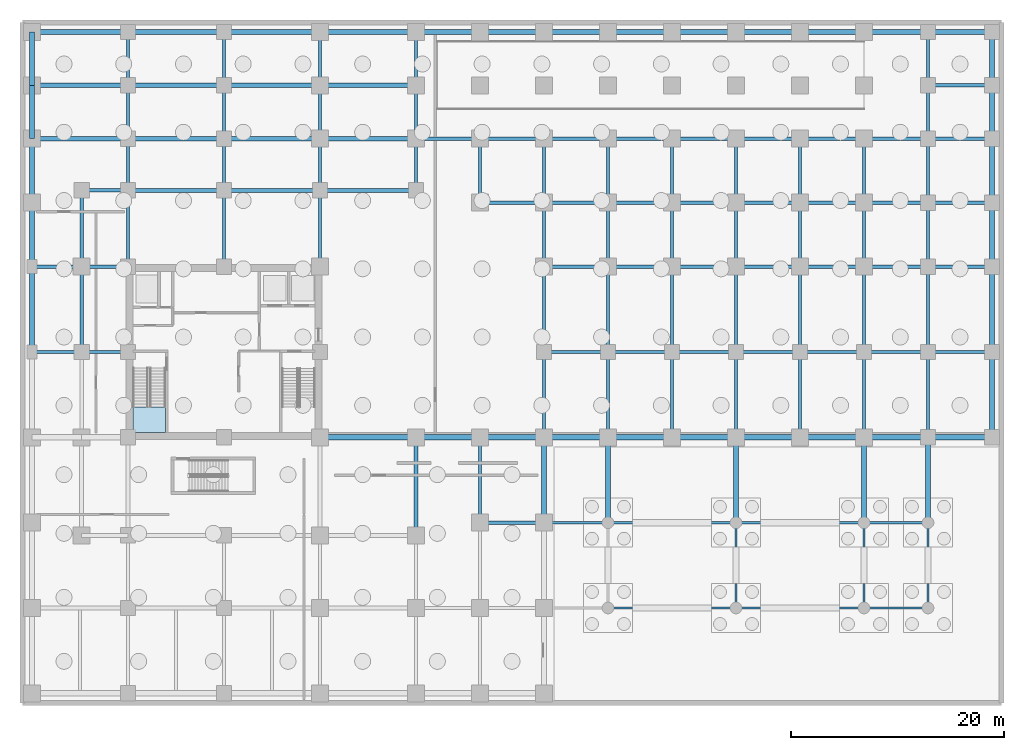
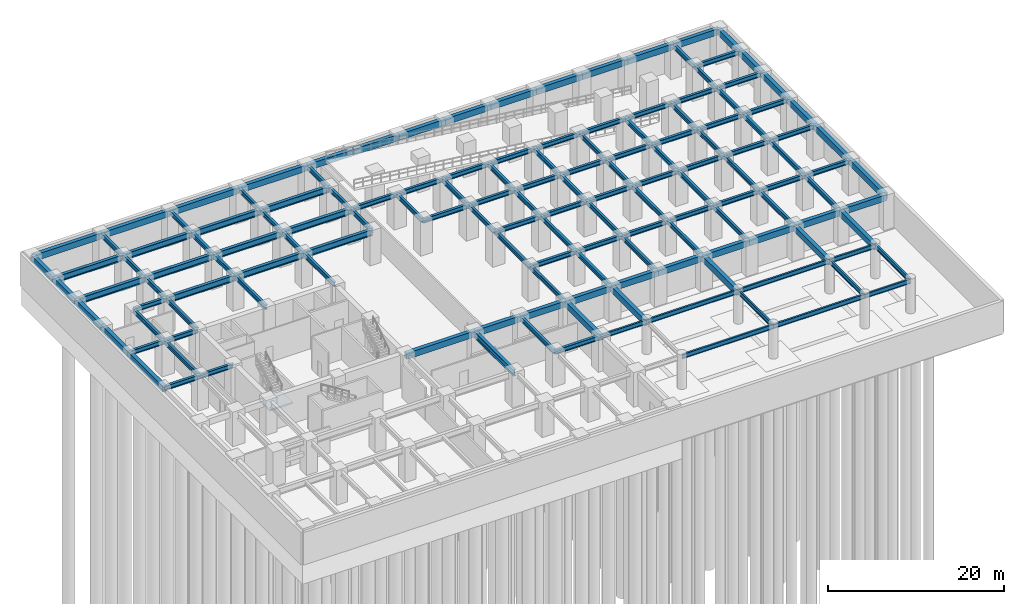
# One storey, part 3 of 11: 148 beams, 1 slab, 1 element without a shape of its own.
"""IFC4 building model written with IfcOpenShell, lengths in metres."""

from ifc_helpers import new_model, si_unit, direction, frame, origin, origin_2d, place, context, subcontext, project, spatial, polyline, rectangle, i_section, outline, extrude, source, transform, mapped, material, layer, layer_set, material_profile, profile_set, type_object, element, aggregate, save


model = new_model("IFC4")

# Units and contexts
model_context = context("Model", 3, precision=1e-05, world=origin(), true_north=direction((0.0, 1.0)))
body_context = subcontext(model_context, "Body", "Model", "MODEL_VIEW")
ifc_project = project(units=[si_unit("LENGTHUNIT", "METRE"), si_unit("AREAUNIT", "SQUARE_METRE"), si_unit("VOLUMEUNIT", "CUBIC_METRE"), si_unit("PLANEANGLEUNIT", "RADIAN"), si_unit("MASSUNIT", "GRAM", prefix="KILO")], contexts=[model_context])

# Site, building, storey
site_placement = place(None, origin())
site = spatial("IfcSite", under=ifc_project, at=site_placement, CompositionType="ELEMENT")
building_placement = place(site_placement, origin())
building = spatial("IfcBuilding", under=site, at=building_placement, Name="Torre Montelarca", CompositionType="ELEMENT")
storey_placement = place(building_placement, frame((0.0, 0.0, -9.60009765625)))
storey = spatial("IfcBuildingStorey", under=building, at=storey_placement, Name="B2", CompositionType="ELEMENT", Elevation=-9.60009765625)

# Beams
ifc_material_1 = material(Name="Concrete C55/67", Category="concrete")
ifc_material_profile_1 = material_profile(ifc_material_1, rectangle(XDim=0.5, YDim=0.85009765625, at=origin_2d()), Name="RCB500X850", Category="concrete")
ifc_profile_set_1 = profile_set([ifc_material_profile_1], Name="Concrete C55/67")
beam_type_1 = type_object("IfcBeamType", Name="BM-SP-RC850-EXT", PredefinedType="SPANDREL", material=ifc_profile_set_1)
shared_shape_1 = source(origin(), body_context, "Body", "SweptSolid", [
    extrude(rectangle(XDim=0.5, YDim=0.85009765625, at=origin_2d()), origin(), (0.0, 0.0, 1.0), 9.0),
])
for number, where, z_axis, x_axis, name in (
    (1, (27.0, 24.0, 4.09521484375), (1.0, 0.0, 0.0), (0.0, 1.0, 0.0), "B2 Grid Girder X 27.0-36.0 at Y=24.0"),
    (2, (0.0, 62.0, 4.09521484375), (1.0, 0.0, 0.0), (0.0, 1.0, 0.0), "B2 Grid Girder X 0.0-9.0 at Y=62.0"),
    (3, (9.0, 62.0, 4.09521484375), (1.0, 0.0, 0.0), (0.0, 1.0, 0.0), "B2 Grid Girder X 9.0-18.0 at Y=62.0"),
    (4, (18.0, 62.0, 4.09521484375), (1.0, 0.0, 0.0), (0.0, 1.0, 0.0), "B2 Grid Girder X 18.0-27.0 at Y=62.0"),
    (5, (27.0, 62.0, 4.09521484375), (1.0, 0.0, 0.0), (0.0, 1.0, 0.0), "B2 Grid Girder X 27.0-36.0 at Y=62.0"),
):
    element("IfcBeam", number, at=place(storey_placement, frame(where, z_axis=z_axis, x_axis=x_axis)), inside=storey, type_object=beam_type_1, Name=name, PredefinedType="SPANDREL", context=body_context, shape_type="MappedRepresentation", body=[
        mapped(shared_shape_1, transform((0.0, 0.0, 0.0), scale=1.0)),
    ])
shared_shape_2 = source(origin(), body_context, "Body", "SweptSolid", [
    extrude(rectangle(XDim=0.5, YDim=0.85009765625, at=origin_2d()), origin(), (0.0, 0.0, 1.0), 6.0),
])
for number, where, z_axis, x_axis, name in (
    (6, (36.0, 24.0, 4.09521484375), (1.0, 0.0, 0.0), (0.0, 1.0, 0.0), "B2 Grid Girder X 36.0-42.0 at Y=24.0"),
    (7, (42.0, 24.0, 4.09521484375), (1.0, 0.0, 0.0), (0.0, 1.0, 0.0), "B2 Grid Girder X 42.0-48.0 at Y=24.0"),
    (8, (48.0, 24.0, 4.09521484375), (1.0, 0.0, 0.0), (0.0, 1.0, 0.0), "B2 Grid Girder X 48.0-54.0 at Y=24.0"),
    (9, (54.0, 24.0, 4.09521484375), (1.0, 0.0, 0.0), (0.0, 1.0, 0.0), "B2 Grid Girder X 54.0-60.0 at Y=24.0"),
    (10, (60.0, 24.0, 4.09521484375), (1.0, 0.0, 0.0), (0.0, 1.0, 0.0), "B2 Grid Girder X 60.0-66.0 at Y=24.0"),
    (11, (66.0, 24.0, 4.09521484375), (1.0, 0.0, 0.0), (0.0, 1.0, 0.0), "B2 Grid Girder X 66.0-72.0 at Y=24.0"),
    (12, (72.0, 24.0, 4.09521484375), (1.0, 0.0, 0.0), (0.0, 1.0, 0.0), "B2 Grid Girder X 72.0-78.0 at Y=24.0"),
    (13, (78.0, 24.0, 4.09521484375), (1.0, 0.0, 0.0), (0.0, 1.0, 0.0), "B2 Grid Girder X 78.0-84.0 at Y=24.0"),
    (14, (84.0, 24.0, 4.09521484375), (1.0, 0.0, 0.0), (0.0, 1.0, 0.0), "B2 Grid Girder X 84.0-90.0 at Y=24.0"),
    (15, (36.0, 62.0, 4.09521484375), (1.0, 0.0, 0.0), (0.0, 1.0, 0.0), "B2 Grid Girder X 36.0-42.0 at Y=62.0"),
    (16, (42.0, 62.0, 4.09521484375), (1.0, 0.0, 0.0), (0.0, 1.0, 0.0), "B2 Grid Girder X 42.0-48.0 at Y=62.0"),
    (17, (48.0, 62.0, 4.09521484375), (1.0, 0.0, 0.0), (0.0, 1.0, 0.0), "B2 Grid Girder X 48.0-54.0 at Y=62.0"),
    (18, (54.0, 62.0, 4.09521484375), (1.0, 0.0, 0.0), (0.0, 1.0, 0.0), "B2 Grid Girder X 54.0-60.0 at Y=62.0"),
    (19, (60.0, 62.0, 4.09521484375), (1.0, 0.0, 0.0), (0.0, 1.0, 0.0), "B2 Grid Girder X 60.0-66.0 at Y=62.0"),
    (20, (66.0, 62.0, 4.09521484375), (1.0, 0.0, 0.0), (0.0, 1.0, 0.0), "B2 Grid Girder X 66.0-72.0 at Y=62.0"),
    (21, (72.0, 62.0, 4.09521484375), (1.0, 0.0, 0.0), (0.0, 1.0, 0.0), "B2 Grid Girder X 72.0-78.0 at Y=62.0"),
    (22, (78.0, 62.0, 4.09521484375), (1.0, 0.0, 0.0), (0.0, 1.0, 0.0), "B2 Grid Girder X 78.0-84.0 at Y=62.0"),
    (23, (84.0, 62.0, 4.09521484375), (1.0, 0.0, 0.0), (0.0, 1.0, 0.0), "B2 Grid Girder X 84.0-90.0 at Y=62.0"),
    (24, (0.0, 40.0, 4.09521484375), (0.0, 1.0, 0.0), (-1.0, 0.0, 0.0), "B2 Grid Girder Y 40.0-46.0 at X=0.0"),
    (25, (0.0, 46.0, 4.09521484375), (0.0, 1.0, 0.0), (-1.0, 0.0, 0.0), "B2 Grid Girder Y 46.0-52.0 at X=0.0"),
    (26, (90.0, 40.0, 4.09521484375), (0.0, 1.0, 0.0), (-1.0, 0.0, 0.0), "B2 Grid Girder Y 40.0-46.0 at X=90.0"),
    (27, (90.0, 46.0, 4.09521484375), (0.0, 1.0, 0.0), (-1.0, 0.0, 0.0), "B2 Grid Girder Y 46.0-52.0 at X=90.0"),
):
    element("IfcBeam", number, at=place(storey_placement, frame(where, z_axis=z_axis, x_axis=x_axis)), inside=storey, type_object=beam_type_1, Name=name, PredefinedType="SPANDREL", context=body_context, shape_type="MappedRepresentation", body=[
        mapped(shared_shape_2, transform((0.0, 0.0, 0.0), scale=1.0)),
    ])
ifc_material_2 = material(Name="Steel ASTM A992 Grade 50", Category="steel")
ifc_material_profile_2 = material_profile(ifc_material_2, i_section(OverallWidth=0.39990234375, OverallDepth=0.85498046875, WebThickness=0.018310546875, FlangeThickness=0.029296875, FilletRadius=0.02001953125, at=origin_2d()), Name="W840X299", Category="steel")
ifc_profile_set_2 = profile_set([ifc_material_profile_2], Name="Steel ASTM A992 Grade 50")
beam_type_2 = type_object("IfcBeamType", Name="BM-G-W840", PredefinedType="BEAM", material=ifc_profile_set_2)
shared_shape_3 = source(origin(), body_context, "Body", "SweptSolid", [
    extrude(i_section(OverallWidth=0.39990234375, OverallDepth=0.85498046875, WebThickness=0.018310546875, FlangeThickness=0.029296875, FilletRadius=0.02001953125, at=origin_2d()), origin(), (0.0, 0.0, 1.0), 9.0),
])
for number, where, z_axis, x_axis, name in (
    (28, (9.0, 47.14990234375, 4.092041015625), (1.0, 0.0, 0.0), (0.0, 1.0, 0.0), "B2 Grid Girder X 9.0-18.0 at Y=47.1"),
    (29, (18.0, 47.14990234375, 4.092041015625), (1.0, 0.0, 0.0), (0.0, 1.0, 0.0), "B2 Grid Girder X 18.0-27.0 at Y=47.1"),
    (30, (27.0, 47.14990234375, 4.092041015625), (1.0, 0.0, 0.0), (0.0, 1.0, 0.0), "B2 Grid Girder X 27.0-36.0 at Y=47.1"),
    (31, (0.0, 52.0, 4.092041015625), (1.0, 0.0, 0.0), (0.0, 1.0, 0.0), "B2 Grid Girder X 0.0-9.0 at Y=52.0"),
    (32, (9.0, 52.0, 4.092041015625), (1.0, 0.0, 0.0), (0.0, 1.0, 0.0), "B2 Grid Girder X 9.0-18.0 at Y=52.0"),
    (33, (18.0, 52.0, 4.092041015625), (1.0, 0.0, 0.0), (0.0, 1.0, 0.0), "B2 Grid Girder X 18.0-27.0 at Y=52.0"),
    (34, (27.0, 52.0, 4.092041015625), (1.0, 0.0, 0.0), (0.0, 1.0, 0.0), "B2 Grid Girder X 27.0-36.0 at Y=52.0"),
    (35, (0.0, 57.0, 4.092041015625), (1.0, 0.0, 0.0), (0.0, 1.0, 0.0), "B2 Grid Girder X 0.0-9.0 at Y=57.0"),
    (36, (9.0, 57.0, 4.092041015625), (1.0, 0.0, 0.0), (0.0, 1.0, 0.0), "B2 Grid Girder X 9.0-18.0 at Y=57.0"),
    (37, (18.0, 57.0, 4.092041015625), (1.0, 0.0, 0.0), (0.0, 1.0, 0.0), "B2 Grid Girder X 18.0-27.0 at Y=57.0"),
    (38, (27.0, 57.0, 4.092041015625), (1.0, 0.0, 0.0), (0.0, 1.0, 0.0), "B2 Grid Girder X 27.0-36.0 at Y=57.0"),
):
    element("IfcBeam", number, at=place(storey_placement, frame(where, z_axis=z_axis, x_axis=x_axis)), inside=storey, type_object=beam_type_2, Name=name, PredefinedType="BEAM", context=body_context, shape_type="MappedRepresentation", body=[
        mapped(shared_shape_3, transform((0.0, 0.0, 0.0), scale=1.0)),
    ])
ifc_material_profile_3 = material_profile(ifc_material_2, i_section(OverallWidth=0.326904296875, OverallDepth=0.6220703125, WebThickness=0.015380859375, FlangeThickness=0.0244140625, FilletRadius=0.014892578125, at=origin_2d()), Name="W610X195", Category="steel")
ifc_profile_set_3 = profile_set([ifc_material_profile_3], Name="Steel ASTM A992 Grade 50")
beam_type_3 = type_object("IfcBeamType", Name="BM-G-W610H", PredefinedType="BEAM", material=ifc_profile_set_3)
shared_shape_4 = source(origin(), body_context, "Body", "SweptSolid", [
    extrude(i_section(OverallWidth=0.326904296875, OverallDepth=0.6220703125, WebThickness=0.015380859375, FlangeThickness=0.0244140625, FilletRadius=0.014892578125, at=origin_2d()), origin(), (0.0, 0.0, 1.0), 6.0),
])
for number, where, z_axis, x_axis, name in (
    (39, (42.0, 16.0, 4.208984375), (1.0, 0.0, 0.0), (0.0, 1.0, 0.0), "B2 Grid Girder X 42.0-48.0 at Y=16.0"),
    (40, (48.0, 32.0, 4.208984375), (1.0, 0.0, 0.0), (0.0, 1.0, 0.0), "B2 Grid Girder X 48.0-54.0 at Y=32.0"),
    (41, (54.0, 32.0, 4.208984375), (1.0, 0.0, 0.0), (0.0, 1.0, 0.0), "B2 Grid Girder X 54.0-60.0 at Y=32.0"),
    (42, (60.0, 32.0, 4.208984375), (1.0, 0.0, 0.0), (0.0, 1.0, 0.0), "B2 Grid Girder X 60.0-66.0 at Y=32.0"),
    (43, (66.0, 32.0, 4.208984375), (1.0, 0.0, 0.0), (0.0, 1.0, 0.0), "B2 Grid Girder X 66.0-72.0 at Y=32.0"),
    (44, (72.0, 32.0, 4.208984375), (1.0, 0.0, 0.0), (0.0, 1.0, 0.0), "B2 Grid Girder X 72.0-78.0 at Y=32.0"),
    (45, (78.0, 32.0, 4.208984375), (1.0, 0.0, 0.0), (0.0, 1.0, 0.0), "B2 Grid Girder X 78.0-84.0 at Y=32.0"),
    (46, (84.0, 32.0, 4.208984375), (1.0, 0.0, 0.0), (0.0, 1.0, 0.0), "B2 Grid Girder X 84.0-90.0 at Y=32.0"),
    (47, (48.0, 40.0, 4.208984375), (1.0, 0.0, 0.0), (0.0, 1.0, 0.0), "B2 Grid Girder X 48.0-54.0 at Y=40.0"),
    (48, (54.0, 40.0, 4.208984375), (1.0, 0.0, 0.0), (0.0, 1.0, 0.0), "B2 Grid Girder X 54.0-60.0 at Y=40.0"),
    (49, (60.0, 40.0, 4.208984375), (1.0, 0.0, 0.0), (0.0, 1.0, 0.0), "B2 Grid Girder X 60.0-66.0 at Y=40.0"),
    (50, (66.0, 40.0, 4.208984375), (1.0, 0.0, 0.0), (0.0, 1.0, 0.0), "B2 Grid Girder X 66.0-72.0 at Y=40.0"),
    (51, (72.0, 40.0, 4.208984375), (1.0, 0.0, 0.0), (0.0, 1.0, 0.0), "B2 Grid Girder X 72.0-78.0 at Y=40.0"),
    (52, (78.0, 40.0, 4.208984375), (1.0, 0.0, 0.0), (0.0, 1.0, 0.0), "B2 Grid Girder X 78.0-84.0 at Y=40.0"),
    (53, (84.0, 40.0, 4.208984375), (1.0, 0.0, 0.0), (0.0, 1.0, 0.0), "B2 Grid Girder X 84.0-90.0 at Y=40.0"),
    (54, (42.0, 46.0, 4.208984375), (1.0, 0.0, 0.0), (0.0, 1.0, 0.0), "B2 Grid Girder X 42.0-48.0 at Y=46.0"),
    (55, (48.0, 46.0, 4.208984375), (1.0, 0.0, 0.0), (0.0, 1.0, 0.0), "B2 Grid Girder X 48.0-54.0 at Y=46.0"),
    (56, (54.0, 46.0, 4.208984375), (1.0, 0.0, 0.0), (0.0, 1.0, 0.0), "B2 Grid Girder X 54.0-60.0 at Y=46.0"),
    (57, (60.0, 46.0, 4.208984375), (1.0, 0.0, 0.0), (0.0, 1.0, 0.0), "B2 Grid Girder X 60.0-66.0 at Y=46.0"),
    (58, (66.0, 46.0, 4.208984375), (1.0, 0.0, 0.0), (0.0, 1.0, 0.0), "B2 Grid Girder X 66.0-72.0 at Y=46.0"),
    (59, (72.0, 46.0, 4.208984375), (1.0, 0.0, 0.0), (0.0, 1.0, 0.0), "B2 Grid Girder X 72.0-78.0 at Y=46.0"),
    (60, (78.0, 46.0, 4.208984375), (1.0, 0.0, 0.0), (0.0, 1.0, 0.0), "B2 Grid Girder X 78.0-84.0 at Y=46.0"),
    (61, (84.0, 46.0, 4.208984375), (1.0, 0.0, 0.0), (0.0, 1.0, 0.0), "B2 Grid Girder X 84.0-90.0 at Y=46.0"),
    (62, (36.0, 52.0, 4.208984375), (1.0, 0.0, 0.0), (0.0, 1.0, 0.0), "B2 Grid Girder X 36.0-42.0 at Y=52.0"),
    (63, (42.0, 52.0, 4.208984375), (1.0, 0.0, 0.0), (0.0, 1.0, 0.0), "B2 Grid Girder X 42.0-48.0 at Y=52.0"),
    (64, (48.0, 52.0, 4.208984375), (1.0, 0.0, 0.0), (0.0, 1.0, 0.0), "B2 Grid Girder X 48.0-54.0 at Y=52.0"),
    (65, (54.0, 52.0, 4.208984375), (1.0, 0.0, 0.0), (0.0, 1.0, 0.0), "B2 Grid Girder X 54.0-60.0 at Y=52.0"),
    (66, (60.0, 52.0, 4.208984375), (1.0, 0.0, 0.0), (0.0, 1.0, 0.0), "B2 Grid Girder X 60.0-66.0 at Y=52.0"),
    (67, (66.0, 52.0, 4.208984375), (1.0, 0.0, 0.0), (0.0, 1.0, 0.0), "B2 Grid Girder X 66.0-72.0 at Y=52.0"),
    (68, (72.0, 52.0, 4.208984375), (1.0, 0.0, 0.0), (0.0, 1.0, 0.0), "B2 Grid Girder X 72.0-78.0 at Y=52.0"),
    (69, (78.0, 52.0, 4.208984375), (1.0, 0.0, 0.0), (0.0, 1.0, 0.0), "B2 Grid Girder X 78.0-84.0 at Y=52.0"),
    (70, (84.0, 52.0, 4.208984375), (1.0, 0.0, 0.0), (0.0, 1.0, 0.0), "B2 Grid Girder X 84.0-90.0 at Y=52.0"),
    (71, (84.0, 57.0, 4.208984375), (1.0, 0.0, 0.0), (0.0, 1.0, 0.0), "B2 Grid Girder X 84.0-90.0 at Y=57.0"),
    (72, (42.0, 46.0, 4.208984375), (0.0, 1.0, 0.0), (-1.0, 0.0, 0.0), "B2 Grid Girder Y 46.0-52.0 at X=42.0"),
    (73, (48.0, 40.0, 4.208984375), (0.0, 1.0, 0.0), (-1.0, 0.0, 0.0), "B2 Grid Girder Y 40.0-46.0 at X=48.0"),
    (74, (48.0, 46.0, 4.208984375), (0.0, 1.0, 0.0), (-1.0, 0.0, 0.0), "B2 Grid Girder Y 46.0-52.0 at X=48.0"),
    (75, (54.0, 40.0, 4.208984375), (0.0, 1.0, 0.0), (-1.0, 0.0, 0.0), "B2 Grid Girder Y 40.0-46.0 at X=54.0"),
    (76, (54.0, 46.0, 4.208984375), (0.0, 1.0, 0.0), (-1.0, 0.0, 0.0), "B2 Grid Girder Y 46.0-52.0 at X=54.0"),
    (77, (60.0, 40.0, 4.208984375), (0.0, 1.0, 0.0), (-1.0, 0.0, 0.0), "B2 Grid Girder Y 40.0-46.0 at X=60.0"),
    (78, (60.0, 46.0, 4.208984375), (0.0, 1.0, 0.0), (-1.0, 0.0, 0.0), "B2 Grid Girder Y 46.0-52.0 at X=60.0"),
    (79, (66.0, 40.0, 4.208984375), (0.0, 1.0, 0.0), (-1.0, 0.0, 0.0), "B2 Grid Girder Y 40.0-46.0 at X=66.0"),
    (80, (66.0, 46.0, 4.208984375), (0.0, 1.0, 0.0), (-1.0, 0.0, 0.0), "B2 Grid Girder Y 46.0-52.0 at X=66.0"),
    (81, (72.0, 40.0, 4.208984375), (0.0, 1.0, 0.0), (-1.0, 0.0, 0.0), "B2 Grid Girder Y 40.0-46.0 at X=72.0"),
    (82, (72.0, 46.0, 4.208984375), (0.0, 1.0, 0.0), (-1.0, 0.0, 0.0), "B2 Grid Girder Y 46.0-52.0 at X=72.0"),
    (83, (78.0, 40.0, 4.208984375), (0.0, 1.0, 0.0), (-1.0, 0.0, 0.0), "B2 Grid Girder Y 40.0-46.0 at X=78.0"),
    (84, (78.0, 46.0, 4.208984375), (0.0, 1.0, 0.0), (-1.0, 0.0, 0.0), "B2 Grid Girder Y 46.0-52.0 at X=78.0"),
    (85, (84.0, 40.0, 4.208984375), (0.0, 1.0, 0.0), (-1.0, 0.0, 0.0), "B2 Grid Girder Y 40.0-46.0 at X=84.0"),
    (86, (84.0, 46.0, 4.208984375), (0.0, 1.0, 0.0), (-1.0, 0.0, 0.0), "B2 Grid Girder Y 46.0-52.0 at X=84.0"),
):
    element("IfcBeam", number, at=place(storey_placement, frame(where, z_axis=z_axis, x_axis=x_axis)), inside=storey, type_object=beam_type_3, Name=name, PredefinedType="BEAM", context=body_context, shape_type="MappedRepresentation", body=[
        mapped(shared_shape_4, transform((0.0, 0.0, 0.0), scale=1.0)),
    ])
ifc_material_profile_4 = material_profile(ifc_material_2, i_section(OverallWidth=0.22998046875, OverallDepth=0.616943359375, WebThickness=0.01318359375, FlangeThickness=0.022216796875, FilletRadius=0.014892578125, at=origin_2d()), Name="W610X140", Category="steel")
ifc_profile_set_4 = profile_set([ifc_material_profile_4], Name="Steel ASTM A992 Grade 50")
beam_type_4 = type_object("IfcBeamType", Name="BM-G-W610", PredefinedType="BEAM", material=ifc_profile_set_4)
shared_shape_5 = source(origin(), body_context, "Body", "SweptSolid", [
    extrude(i_section(OverallWidth=0.22998046875, OverallDepth=0.616943359375, WebThickness=0.01318359375, FlangeThickness=0.022216796875, FilletRadius=0.014892578125, at=origin_2d()), origin(), (0.0, 0.0, 1.0), 6.0),
])
for number, where, z_axis, x_axis, name in (
    (87, (78.0, 8.0, 4.211181640625), (1.0, 0.0, 0.0), (0.0, 1.0, 0.0), "B2 Grid Girder X 78.0-84.0 at Y=8.0"),
    (88, (48.0, 16.0, 4.211181640625), (1.0, 0.0, 0.0), (0.0, 1.0, 0.0), "B2 Grid Girder X 48.0-54.0 at Y=16.0"),
    (89, (78.0, 16.0, 4.211181640625), (1.0, 0.0, 0.0), (0.0, 1.0, 0.0), "B2 Grid Girder X 78.0-84.0 at Y=16.0"),
):
    element("IfcBeam", number, at=place(storey_placement, frame(where, z_axis=z_axis, x_axis=x_axis)), inside=storey, type_object=beam_type_4, Name=name, PredefinedType="BEAM", context=body_context, shape_type="MappedRepresentation", body=[
        mapped(shared_shape_5, transform((0.0, 0.0, 0.0), scale=1.0)),
    ])
shared_shape_6 = source(origin(), body_context, "Body", "SweptSolid", [
    extrude(i_section(OverallWidth=0.22998046875, OverallDepth=0.616943359375, WebThickness=0.01318359375, FlangeThickness=0.022216796875, FilletRadius=0.014892578125, at=origin_2d()), origin(), (0.0, 0.0, 1.0), 12.0),
])
for number, where, z_axis, x_axis, name in (
    (90, (54.0, 8.0, 4.211181640625), (1.0, 0.0, 0.0), (0.0, 1.0, 0.0), "B2 Grid Girder X 54.0-66.0 at Y=8.0"),
    (91, (66.0, 8.0, 4.211181640625), (1.0, 0.0, 0.0), (0.0, 1.0, 0.0), "B2 Grid Girder X 66.0-78.0 at Y=8.0"),
    (92, (54.0, 16.0, 4.211181640625), (1.0, 0.0, 0.0), (0.0, 1.0, 0.0), "B2 Grid Girder X 54.0-66.0 at Y=16.0"),
    (93, (66.0, 16.0, 4.211181640625), (1.0, 0.0, 0.0), (0.0, 1.0, 0.0), "B2 Grid Girder X 66.0-78.0 at Y=16.0"),
):
    element("IfcBeam", number, at=place(storey_placement, frame(where, z_axis=z_axis, x_axis=x_axis)), inside=storey, type_object=beam_type_4, Name=name, PredefinedType="BEAM", context=body_context, shape_type="MappedRepresentation", body=[
        mapped(shared_shape_6, transform((0.0, 0.0, 0.0), scale=1.0)),
    ])
shared_shape_7 = source(origin(), body_context, "Body", "SweptSolid", [
    extrude(i_section(OverallWidth=0.326904296875, OverallDepth=0.6220703125, WebThickness=0.015380859375, FlangeThickness=0.0244140625, FilletRadius=0.014892578125, at=origin_2d()), origin(), (0.0, 0.0, 1.0), 4.35009765625),
])
for number, where, z_axis, x_axis, name in (
    (94, (4.64990234375, 32.0, 4.208984375), (1.0, 0.0, 0.0), (0.0, 1.0, 0.0), "B2 Grid Girder X 4.7-9.0 at Y=32.0"),
    (95, (4.64990234375, 40.0, 4.208984375), (1.0, 0.0, 0.0), (0.0, 1.0, 0.0), "B2 Grid Girder X 4.7-9.0 at Y=40.0"),
    (96, (4.64990234375, 47.14990234375, 4.208984375), (1.0, 0.0, 0.0), (0.0, 1.0, 0.0), "B2 Grid Girder X 4.7-9.0 at Y=47.1"),
):
    element("IfcBeam", number, at=place(storey_placement, frame(where, z_axis=z_axis, x_axis=x_axis)), inside=storey, type_object=beam_type_3, Name=name, PredefinedType="BEAM", context=body_context, shape_type="MappedRepresentation", body=[
        mapped(shared_shape_7, transform((0.0, 0.0, 0.0), scale=1.0)),
    ])
shared_shape_8 = source(origin(), body_context, "Body", "SweptSolid", [
    extrude(i_section(OverallWidth=0.326904296875, OverallDepth=0.6220703125, WebThickness=0.015380859375, FlangeThickness=0.0244140625, FilletRadius=0.014892578125, at=origin_2d()), origin(), (0.0, 0.0, 1.0), 4.64990234375),
])
for number, where, z_axis, x_axis, name in (
    (97, (0.0, 32.0, 4.208984375), (1.0, 0.0, 0.0), (0.0, 1.0, 0.0), "B2 Grid Girder X 0.0-4.7 at Y=32.0"),
    (98, (0.0, 40.0, 4.208984375), (1.0, 0.0, 0.0), (0.0, 1.0, 0.0), "B2 Grid Girder X 0.0-4.7 at Y=40.0"),
):
    element("IfcBeam", number, at=place(storey_placement, frame(where, z_axis=z_axis, x_axis=x_axis)), inside=storey, type_object=beam_type_3, Name=name, PredefinedType="BEAM", context=body_context, shape_type="MappedRepresentation", body=[
        mapped(shared_shape_8, transform((0.0, 0.0, 0.0), scale=1.0)),
    ])
shared_shape_9 = source(origin(), body_context, "Body", "SweptSolid", [
    extrude(rectangle(XDim=0.5, YDim=0.85009765625, at=origin_2d()), origin(), (0.0, 0.0, 1.0), 8.0),
])
for number, where, z_axis, x_axis, name in (
    (99, (0.0, 32.0, 4.09521484375), (0.0, 1.0, 0.0), (-1.0, 0.0, 0.0), "B2 Grid Girder Y 32.0-40.0 at X=0.0"),
    (100, (48.0, 16.0, 4.09521484375), (0.0, 1.0, 0.0), (-1.0, 0.0, 0.0), "B2 Grid Girder Y 16.0-24.0 at X=48.0"),
    (101, (54.0, 16.0, 4.09521484375), (0.0, 1.0, 0.0), (-1.0, 0.0, 0.0), "B2 Grid Girder Y 16.0-24.0 at X=54.0"),
    (102, (66.0, 16.0, 4.09521484375), (0.0, 1.0, 0.0), (-1.0, 0.0, 0.0), "B2 Grid Girder Y 16.0-24.0 at X=66.0"),
    (103, (78.0, 16.0, 4.09521484375), (0.0, 1.0, 0.0), (-1.0, 0.0, 0.0), "B2 Grid Girder Y 16.0-24.0 at X=78.0"),
    (104, (84.0, 16.0, 4.09521484375), (0.0, 1.0, 0.0), (-1.0, 0.0, 0.0), "B2 Grid Girder Y 16.0-24.0 at X=84.0"),
    (105, (90.0, 24.0, 4.09521484375), (0.0, 1.0, 0.0), (-1.0, 0.0, 0.0), "B2 Grid Girder Y 24.0-32.0 at X=90.0"),
    (106, (90.0, 32.0, 4.09521484375), (0.0, 1.0, 0.0), (-1.0, 0.0, 0.0), "B2 Grid Girder Y 32.0-40.0 at X=90.0"),
):
    element("IfcBeam", number, at=place(storey_placement, frame(where, z_axis=z_axis, x_axis=x_axis)), inside=storey, type_object=beam_type_1, Name=name, PredefinedType="SPANDREL", context=body_context, shape_type="MappedRepresentation", body=[
        mapped(shared_shape_9, transform((0.0, 0.0, 0.0), scale=1.0)),
    ])
shared_shape_10 = source(origin(), body_context, "Body", "SweptSolid", [
    extrude(rectangle(XDim=0.5, YDim=0.85009765625, at=origin_2d()), origin(), (0.0, 0.0, 1.0), 5.0),
])
for number, where, z_axis, x_axis, name in (
    (107, (0.0, 52.0, 4.09521484375), (0.0, 1.0, 0.0), (-1.0, 0.0, 0.0), "B2 Grid Girder Y 52.0-57.0 at X=0.0"),
    (108, (0.0, 57.0, 4.09521484375), (0.0, 1.0, 0.0), (-1.0, 0.0, 0.0), "B2 Grid Girder Y 57.0-62.0 at X=0.0"),
    (109, (90.0, 52.0, 4.09521484375), (0.0, 1.0, 0.0), (-1.0, 0.0, 0.0), "B2 Grid Girder Y 52.0-57.0 at X=90.0"),
    (110, (90.0, 57.0, 4.09521484375), (0.0, 1.0, 0.0), (-1.0, 0.0, 0.0), "B2 Grid Girder Y 57.0-62.0 at X=90.0"),
):
    element("IfcBeam", number, at=place(storey_placement, frame(where, z_axis=z_axis, x_axis=x_axis)), inside=storey, type_object=beam_type_1, Name=name, PredefinedType="SPANDREL", context=body_context, shape_type="MappedRepresentation", body=[
        mapped(shared_shape_10, transform((0.0, 0.0, 0.0), scale=1.0)),
    ])
shared_shape_11 = source(origin(), body_context, "Body", "SweptSolid", [
    extrude(i_section(OverallWidth=0.39990234375, OverallDepth=0.85498046875, WebThickness=0.018310546875, FlangeThickness=0.029296875, FilletRadius=0.02001953125, at=origin_2d()), origin(), (0.0, 0.0, 1.0), 9.199951171875),
])
beam_placement = place(storey_placement, frame((36.0, 14.800048828125, 4.092041015625), z_axis=(0.0, 1.0, 0.0), x_axis=(-1.0, 0.0, 0.0)))
element("IfcBeam", 111, at=beam_placement, inside=storey, type_object=beam_type_2, Name="B2 Grid Girder Y 14.8-24.0 at X=36.0", PredefinedType="BEAM", context=body_context, shape_type="MappedRepresentation", body=[
    mapped(shared_shape_11, transform((0.0, 0.0, 0.0), scale=1.0)),
])
shared_shape_12 = source(origin(), body_context, "Body", "SweptSolid", [
    extrude(i_section(OverallWidth=0.326904296875, OverallDepth=0.6220703125, WebThickness=0.015380859375, FlangeThickness=0.0244140625, FilletRadius=0.014892578125, at=origin_2d()), origin(), (0.0, 0.0, 1.0), 8.0),
])
for number, where, z_axis, x_axis, name in (
    (112, (4.64990234375, 32.0, 4.208984375), (0.0, 1.0, 0.0), (-1.0, 0.0, 0.0), "B2 Grid Girder Y 32.0-40.0 at X=4.7"),
    (113, (42.0, 16.0, 4.208984375), (0.0, 1.0, 0.0), (-1.0, 0.0, 0.0), "B2 Grid Girder Y 16.0-24.0 at X=42.0"),
    (114, (48.0, 24.0, 4.208984375), (0.0, 1.0, 0.0), (-1.0, 0.0, 0.0), "B2 Grid Girder Y 24.0-32.0 at X=48.0"),
    (115, (48.0, 32.0, 4.208984375), (0.0, 1.0, 0.0), (-1.0, 0.0, 0.0), "B2 Grid Girder Y 32.0-40.0 at X=48.0"),
    (116, (54.0, 24.0, 4.208984375), (0.0, 1.0, 0.0), (-1.0, 0.0, 0.0), "B2 Grid Girder Y 24.0-32.0 at X=54.0"),
    (117, (54.0, 32.0, 4.208984375), (0.0, 1.0, 0.0), (-1.0, 0.0, 0.0), "B2 Grid Girder Y 32.0-40.0 at X=54.0"),
    (118, (60.0, 24.0, 4.208984375), (0.0, 1.0, 0.0), (-1.0, 0.0, 0.0), "B2 Grid Girder Y 24.0-32.0 at X=60.0"),
    (119, (60.0, 32.0, 4.208984375), (0.0, 1.0, 0.0), (-1.0, 0.0, 0.0), "B2 Grid Girder Y 32.0-40.0 at X=60.0"),
    (120, (66.0, 24.0, 4.208984375), (0.0, 1.0, 0.0), (-1.0, 0.0, 0.0), "B2 Grid Girder Y 24.0-32.0 at X=66.0"),
    (121, (66.0, 32.0, 4.208984375), (0.0, 1.0, 0.0), (-1.0, 0.0, 0.0), "B2 Grid Girder Y 32.0-40.0 at X=66.0"),
    (122, (72.0, 24.0, 4.208984375), (0.0, 1.0, 0.0), (-1.0, 0.0, 0.0), "B2 Grid Girder Y 24.0-32.0 at X=72.0"),
    (123, (72.0, 32.0, 4.208984375), (0.0, 1.0, 0.0), (-1.0, 0.0, 0.0), "B2 Grid Girder Y 32.0-40.0 at X=72.0"),
    (124, (78.0, 24.0, 4.208984375), (0.0, 1.0, 0.0), (-1.0, 0.0, 0.0), "B2 Grid Girder Y 24.0-32.0 at X=78.0"),
    (125, (78.0, 32.0, 4.208984375), (0.0, 1.0, 0.0), (-1.0, 0.0, 0.0), "B2 Grid Girder Y 32.0-40.0 at X=78.0"),
    (126, (84.0, 24.0, 4.208984375), (0.0, 1.0, 0.0), (-1.0, 0.0, 0.0), "B2 Grid Girder Y 24.0-32.0 at X=84.0"),
    (127, (84.0, 32.0, 4.208984375), (0.0, 1.0, 0.0), (-1.0, 0.0, 0.0), "B2 Grid Girder Y 32.0-40.0 at X=84.0"),
):
    element("IfcBeam", number, at=place(storey_placement, frame(where, z_axis=z_axis, x_axis=x_axis)), inside=storey, type_object=beam_type_3, Name=name, PredefinedType="BEAM", context=body_context, shape_type="MappedRepresentation", body=[
        mapped(shared_shape_12, transform((0.0, 0.0, 0.0), scale=1.0)),
    ])
shared_shape_13 = source(origin(), body_context, "Body", "SweptSolid", [
    extrude(i_section(OverallWidth=0.326904296875, OverallDepth=0.6220703125, WebThickness=0.015380859375, FlangeThickness=0.0244140625, FilletRadius=0.014892578125, at=origin_2d()), origin(), (0.0, 0.0, 1.0), 7.14990234375),
])
for number, where, z_axis, x_axis, name in (
    (128, (4.64990234375, 40.0, 4.208984375), (0.0, 1.0, 0.0), (-1.0, 0.0, 0.0), "B2 Grid Girder Y 40.0-47.1 at X=4.7"),
    (129, (9.0, 40.0, 4.208984375), (0.0, 1.0, 0.0), (-1.0, 0.0, 0.0), "B2 Grid Girder Y 40.0-47.1 at X=9.0"),
    (130, (18.0, 40.0, 4.208984375), (0.0, 1.0, 0.0), (-1.0, 0.0, 0.0), "B2 Grid Girder Y 40.0-47.1 at X=18.0"),
    (131, (27.0, 40.0, 4.208984375), (0.0, 1.0, 0.0), (-1.0, 0.0, 0.0), "B2 Grid Girder Y 40.0-47.1 at X=27.0"),
):
    element("IfcBeam", number, at=place(storey_placement, frame(where, z_axis=z_axis, x_axis=x_axis)), inside=storey, type_object=beam_type_3, Name=name, PredefinedType="BEAM", context=body_context, shape_type="MappedRepresentation", body=[
        mapped(shared_shape_13, transform((0.0, 0.0, 0.0), scale=1.0)),
    ])
shared_shape_14 = source(origin(), body_context, "Body", "SweptSolid", [
    extrude(i_section(OverallWidth=0.326904296875, OverallDepth=0.6220703125, WebThickness=0.015380859375, FlangeThickness=0.0244140625, FilletRadius=0.014892578125, at=origin_2d()), origin(), (0.0, 0.0, 1.0), 4.85009765625),
])
for number, where, z_axis, x_axis, name in (
    (132, (9.0, 47.14990234375, 4.208984375), (0.0, 1.0, 0.0), (-1.0, 0.0, 0.0), "B2 Grid Girder Y 47.1-52.0 at X=9.0"),
    (133, (18.0, 47.14990234375, 4.208984375), (0.0, 1.0, 0.0), (-1.0, 0.0, 0.0), "B2 Grid Girder Y 47.1-52.0 at X=18.0"),
    (134, (27.0, 47.14990234375, 4.208984375), (0.0, 1.0, 0.0), (-1.0, 0.0, 0.0), "B2 Grid Girder Y 47.1-52.0 at X=27.0"),
    (135, (36.0, 47.14990234375, 4.208984375), (0.0, 1.0, 0.0), (-1.0, 0.0, 0.0), "B2 Grid Girder Y 47.1-52.0 at X=36.0"),
):
    element("IfcBeam", number, at=place(storey_placement, frame(where, z_axis=z_axis, x_axis=x_axis)), inside=storey, type_object=beam_type_3, Name=name, PredefinedType="BEAM", context=body_context, shape_type="MappedRepresentation", body=[
        mapped(shared_shape_14, transform((0.0, 0.0, 0.0), scale=1.0)),
    ])
shared_shape_15 = source(origin(), body_context, "Body", "SweptSolid", [
    extrude(i_section(OverallWidth=0.326904296875, OverallDepth=0.6220703125, WebThickness=0.015380859375, FlangeThickness=0.0244140625, FilletRadius=0.014892578125, at=origin_2d()), origin(), (0.0, 0.0, 1.0), 5.0),
])
for number, where, z_axis, x_axis, name in (
    (136, (9.0, 52.0, 4.208984375), (0.0, 1.0, 0.0), (-1.0, 0.0, 0.0), "B2 Grid Girder Y 52.0-57.0 at X=9.0"),
    (137, (9.0, 57.0, 4.208984375), (0.0, 1.0, 0.0), (-1.0, 0.0, 0.0), "B2 Grid Girder Y 57.0-62.0 at X=9.0"),
    (138, (18.0, 52.0, 4.208984375), (0.0, 1.0, 0.0), (-1.0, 0.0, 0.0), "B2 Grid Girder Y 52.0-57.0 at X=18.0"),
    (139, (18.0, 57.0, 4.208984375), (0.0, 1.0, 0.0), (-1.0, 0.0, 0.0), "B2 Grid Girder Y 57.0-62.0 at X=18.0"),
    (140, (27.0, 52.0, 4.208984375), (0.0, 1.0, 0.0), (-1.0, 0.0, 0.0), "B2 Grid Girder Y 52.0-57.0 at X=27.0"),
    (141, (27.0, 57.0, 4.208984375), (0.0, 1.0, 0.0), (-1.0, 0.0, 0.0), "B2 Grid Girder Y 57.0-62.0 at X=27.0"),
    (142, (36.0, 52.0, 4.208984375), (0.0, 1.0, 0.0), (-1.0, 0.0, 0.0), "B2 Grid Girder Y 52.0-57.0 at X=36.0"),
    (143, (36.0, 57.0, 4.208984375), (0.0, 1.0, 0.0), (-1.0, 0.0, 0.0), "B2 Grid Girder Y 57.0-62.0 at X=36.0"),
    (144, (84.0, 52.0, 4.208984375), (0.0, 1.0, 0.0), (-1.0, 0.0, 0.0), "B2 Grid Girder Y 52.0-57.0 at X=84.0"),
    (145, (84.0, 57.0, 4.208984375), (0.0, 1.0, 0.0), (-1.0, 0.0, 0.0), "B2 Grid Girder Y 57.0-62.0 at X=84.0"),
):
    element("IfcBeam", number, at=place(storey_placement, frame(where, z_axis=z_axis, x_axis=x_axis)), inside=storey, type_object=beam_type_3, Name=name, PredefinedType="BEAM", context=body_context, shape_type="MappedRepresentation", body=[
        mapped(shared_shape_15, transform((0.0, 0.0, 0.0), scale=1.0)),
    ])
shared_shape_16 = source(origin(), body_context, "Body", "SweptSolid", [
    extrude(i_section(OverallWidth=0.22998046875, OverallDepth=0.616943359375, WebThickness=0.01318359375, FlangeThickness=0.022216796875, FilletRadius=0.014892578125, at=origin_2d()), origin(), (0.0, 0.0, 1.0), 8.0),
])
for number, where, z_axis, x_axis, name in (
    (146, (66.0, 8.0, 4.211181640625), (0.0, 1.0, 0.0), (-1.0, 0.0, 0.0), "B2 Grid Girder Y 8.0-16.0 at X=66.0"),
    (147, (78.0, 8.0, 4.211181640625), (0.0, 1.0, 0.0), (-1.0, 0.0, 0.0), "B2 Grid Girder Y 8.0-16.0 at X=78.0"),
    (148, (84.0, 8.0, 4.211181640625), (0.0, 1.0, 0.0), (-1.0, 0.0, 0.0), "B2 Grid Girder Y 8.0-16.0 at X=84.0"),
):
    element("IfcBeam", number, at=place(storey_placement, frame(where, z_axis=z_axis, x_axis=x_axis)), inside=storey, type_object=beam_type_4, Name=name, PredefinedType="BEAM", context=body_context, shape_type="MappedRepresentation", body=[
        mapped(shared_shape_16, transform((0.0, 0.0, 0.0), scale=1.0)),
    ])

# Stair, slab
ifc_material_3 = material(Name="Concrete C40/50", Category="concrete")
stair_type = type_object("IfcStairType", Name="ST-CORE-ST1", PredefinedType="HALF_TURN_STAIR", material=ifc_material_3)
stair_placement = place(storey_placement, origin())
stair = element("IfcStair", 149, at=stair_placement, inside=storey, type_object=stair_type, Name="B2 Protected Exit Stair ST1", PredefinedType="HALF_TURN_STAIR")
ifc_layer = layer(ifc_material_3, 0.199951171875, Name="Concrete C40/50", Category="concrete")
ifc_layer_set = layer_set([ifc_layer], Name="Concrete C40/50")
slab_type = type_object("IfcSlabType", Name="SL-ST-LAND-ST1", PredefinedType="LANDING", material=ifc_layer_set)
slab_placement = place(storey_placement, frame((0.0, 0.0, 2.2001953125)))
slab = element("IfcSlab", 150, at=slab_placement, type_object=slab_type, Name="ST1 landing 1", PredefinedType="LANDING", context=body_context, shape_type="SweptSolid", body=[
    extrude(outline(polyline([(9.449951171875, 26.860107421875), (9.449951171875, 24.449951171875), (12.5, 24.449951171875), (12.5, 26.860107421875), (9.449951171875, 26.860107421875)])), origin(), (0.0, 0.0, 1.0), 0.199951171875),
])
aggregate(stair, [slab])

save(model, "model.ifc")
